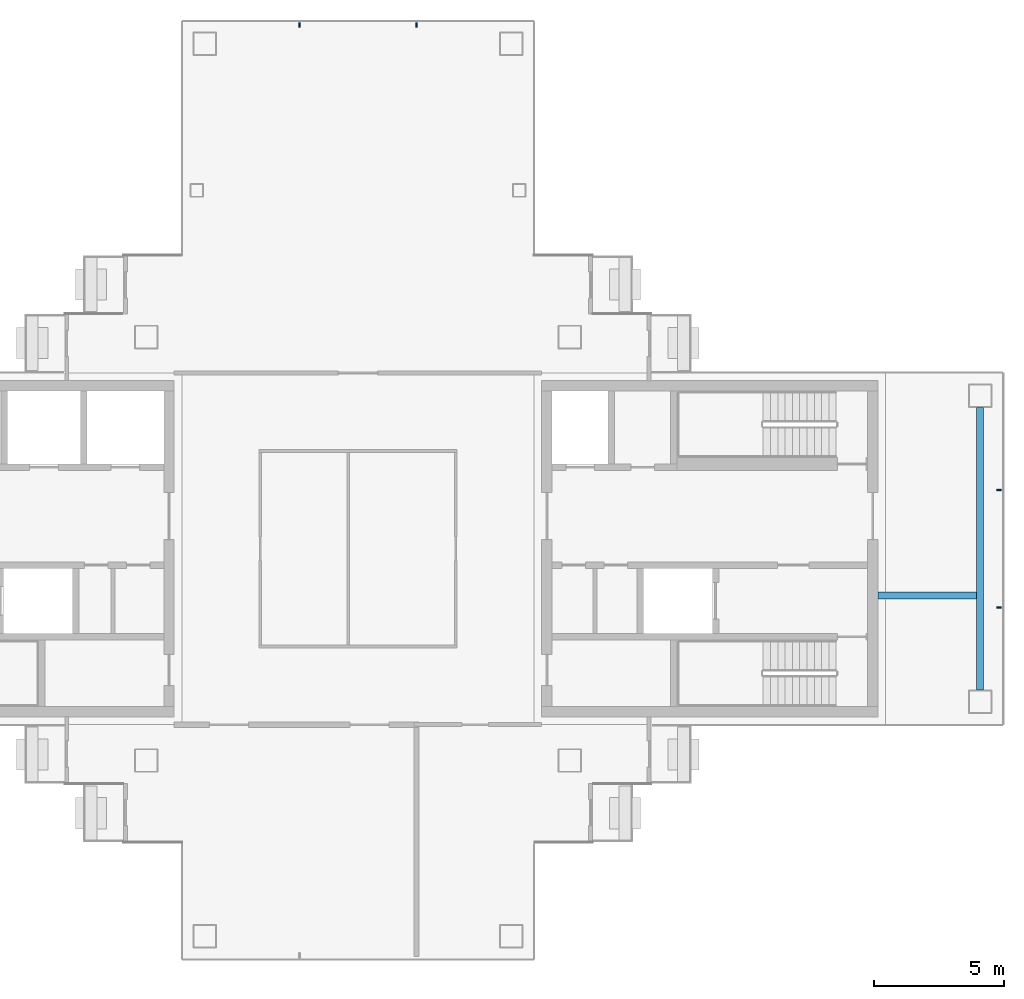
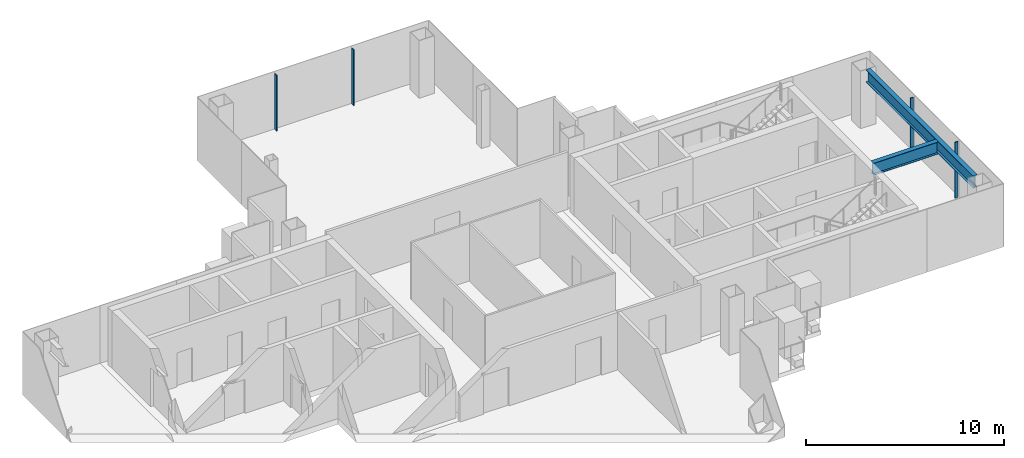
# One storey, part 6 of 16: 4 members, 2 beams, 2 elements without a shape of their own.
"""IFC4 building model written with IfcOpenShell, lengths in metres."""

from ifc_helpers import new_model, si_unit, direction, frame, origin, origin_2d, place, context, subcontext, project, spatial, rectangle, i_section, extrude, material, layer, layer_set, material_profile, profile_set, type_object, element, aggregate, save


model = new_model("IFC4")

# Units and contexts
model_context = context("Model", 3, precision=1e-05, world=origin(), true_north=direction((0.0, 1.0)))
body_context = subcontext(model_context, "Body", "Model", "MODEL_VIEW")
ifc_project = project(units=[si_unit("LENGTHUNIT", "METRE"), si_unit("AREAUNIT", "SQUARE_METRE"), si_unit("VOLUMEUNIT", "CUBIC_METRE"), si_unit("PLANEANGLEUNIT", "RADIAN"), si_unit("MASSUNIT", "GRAM", prefix="KILO")], contexts=[model_context])

# Site, building, storey
site_placement = place(None, origin())
site = spatial("IfcSite", under=ifc_project, at=site_placement, CompositionType="ELEMENT")
building_placement = place(site_placement, origin())
building = spatial("IfcBuilding", under=site, at=building_placement, Name="Shamsa Quay Exchange Towers", CompositionType="ELEMENT")
storey_placement = place(building_placement, frame((0.0, 0.0, 246.0)))
storey = spatial("IfcBuildingStorey", under=building, at=storey_placement, Name="L59", CompositionType="ELEMENT", Elevation=246.0)

# Curtain wall, members
ifc_material_1 = material(Name="Aluminium EN AW-6063 T6, black anodised", Category="aluminium")
ifc_layer = layer(ifc_material_1, 0.280029296875)
ifc_layer_set = layer_set([ifc_layer], Name="CW-1 UNITISED VISION GLASS")
curtain_wall_type = type_object("IfcCurtainWallType", Name="CW-1 UNITISED VISION GLASS", PredefinedType="NOTDEFINED", material=ifc_layer_set)
curtain_wall_1_placement = place(storey_placement, origin())
curtain_wall_1 = element("IfcCurtainWall", 1, at=curtain_wall_1_placement, inside=storey, type_object=curtain_wall_type, Name="CW1 T2-END-V- L59", PredefinedType="NOTDEFINED")
ifc_material_profile_1 = material_profile(ifc_material_1, rectangle(XDim=0.179931640625, YDim=0.06005859375, at=origin_2d()), Name="MU60x180")
ifc_profile_set_1 = profile_set([ifc_material_profile_1], Name="Aluminium EN AW-6063 T6, black anodised")
member_type = type_object("IfcMemberType", Name="CW1 MULLION 60x180", PredefinedType="MULLION", material=ifc_profile_set_1)
member_1_placement = place(storey_placement, frame((58.35009765625, -2.25, 0.0), z_axis=(0.0, 0.0, 1.0), x_axis=(-1.0, 0.0, 0.0)))
member_1 = element("IfcMember", 2, at=member_1_placement, type_object=member_type, Name="CW1 mullion", PredefinedType="MULLION", context=body_context, shape_type="SweptSolid", body=[
    extrude(rectangle(XDim=0.179931640625, YDim=0.06005859375, at=origin_2d()), origin(), (0.0, 0.0, 1.0), 3.449951171875),
])
member_2_placement = place(storey_placement, frame((58.35009765625, 2.25, 0.0), z_axis=(0.0, 0.0, 1.0), x_axis=(-1.0, 0.0, 0.0)))
member_2 = element("IfcMember", 3, at=member_2_placement, type_object=member_type, Name="CW1 mullion", PredefinedType="MULLION", context=body_context, shape_type="SweptSolid", body=[
    extrude(rectangle(XDim=0.179931640625, YDim=0.06005859375, at=origin_2d()), origin(), (0.0, 0.0, 1.0), 3.449951171875),
])
aggregate(curtain_wall_1, [member_1, member_2])

curtain_wall_2_placement = place(storey_placement, origin())
curtain_wall_2 = element("IfcCurtainWall", 4, at=curtain_wall_2_placement, inside=storey, type_object=curtain_wall_type, Name="CW1 T2-END-U+ L59", PredefinedType="NOTDEFINED")
member_3_placement = place(storey_placement, frame((36.0, 20.10009765625, 0.0), z_axis=(0.0, 0.0, 1.0), x_axis=(0.0, -1.0, 0.0)))
member_3 = element("IfcMember", 5, at=member_3_placement, type_object=member_type, Name="CW1 mullion", PredefinedType="MULLION", context=body_context, shape_type="SweptSolid", body=[
    extrude(rectangle(XDim=0.179931640625, YDim=0.06005859375, at=origin_2d()), origin(), (0.0, 0.0, 1.0), 3.449951171875),
])
member_4_placement = place(storey_placement, frame((31.5, 20.10009765625, 0.0), z_axis=(0.0, 0.0, 1.0), x_axis=(0.0, -1.0, 0.0)))
member_4 = element("IfcMember", 6, at=member_4_placement, type_object=member_type, Name="CW1 mullion", PredefinedType="MULLION", context=body_context, shape_type="SweptSolid", body=[
    extrude(rectangle(XDim=0.179931640625, YDim=0.06005859375, at=origin_2d()), origin(), (0.0, 0.0, 1.0), 3.449951171875),
])
aggregate(curtain_wall_2, [member_3, member_4])

# Beams
ifc_material_2 = material(Name="Steel S355", Category="steel")
ifc_material_profile_2 = material_profile(ifc_material_2, i_section(OverallWidth=0.26611328125, OverallDepth=0.7578125, WebThickness=0.013916015625, FlangeThickness=0.019287109375, at=origin_2d()), Name="W30x108")
ifc_profile_set_2 = profile_set([ifc_material_profile_2], Name="Steel S355")
beam_type = type_object("IfcBeamType", Name="End-zone beam W30x108", PredefinedType="BEAM", material=ifc_profile_set_2)
beam_1_placement = place(storey_placement, frame((57.625, -5.425048828125, 3.171142578125), z_axis=(0.0, 1.0, 0.0), x_axis=(-1.0, 0.0, 0.0)))
element("IfcBeam", 7, at=beam_1_placement, inside=storey, type_object=beam_type, Name="End beam T2 V- end zone L59", PredefinedType="BEAM", context=body_context, shape_type="SweptSolid", body=[
    extrude(i_section(OverallWidth=0.26611328125, OverallDepth=0.7578125, WebThickness=0.013916015625, FlangeThickness=0.019287109375, at=origin_2d()), origin(), (0.0, 0.0, 1.0), 10.85009765625),
])
beam_2_placement = place(storey_placement, frame((53.699951171875, -1.800048828125, 3.171142578125), z_axis=(1.0, 0.0, 0.0), x_axis=(0.0, 1.0, 0.0)))
element("IfcBeam", 8, at=beam_2_placement, inside=storey, type_object=beam_type, Name="Spine beam T2 V- end zone L59", PredefinedType="BEAM", context=body_context, shape_type="SweptSolid", body=[
    extrude(i_section(OverallWidth=0.26611328125, OverallDepth=0.7578125, WebThickness=0.013916015625, FlangeThickness=0.019287109375, at=origin_2d()), origin(), (0.0, 0.0, 1.0), 3.7919921875),
])

save(model, "model.ifc")
